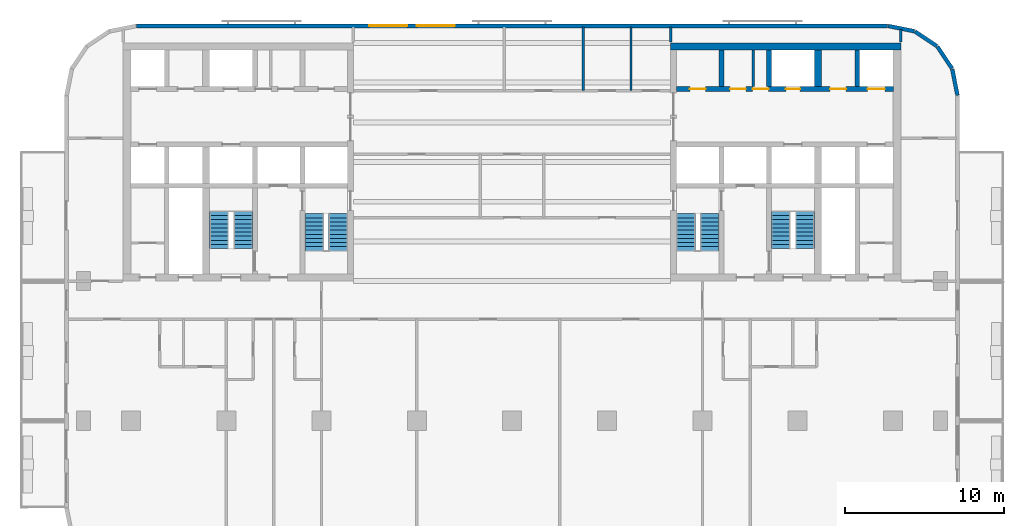
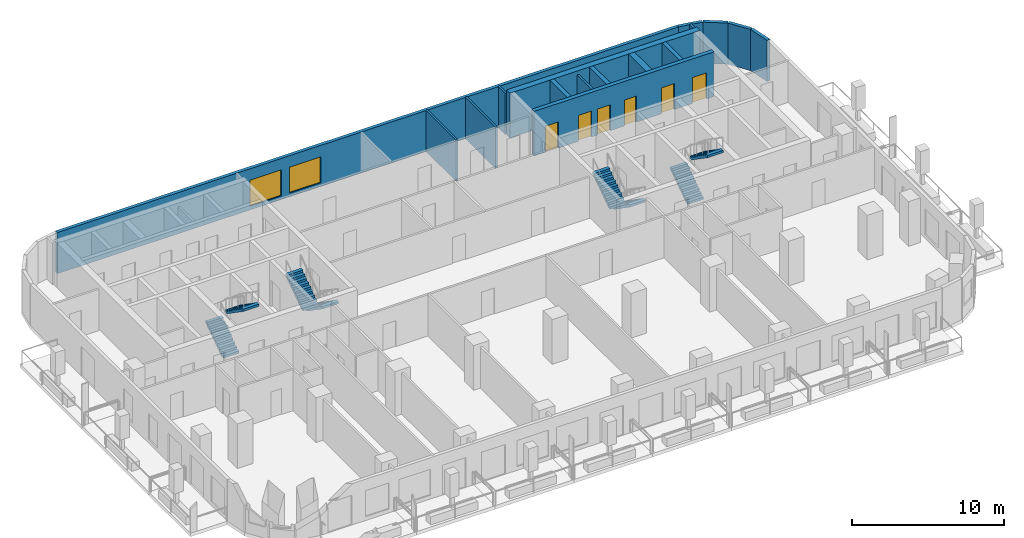
# One storey, part 7 of 11: 16 walls, 8 stair flights, 6 doors, 2 windows, 8 openings, 4 elements without a shape of their own.
"""IFC4 building model written with IfcOpenShell, lengths in metres."""

import ifcopenshell
import ifcopenshell.guid

model = None  # the IFC model being written
_history = None  # IfcOwnerHistory: only IFC2X3 demands one
_inside = {}  # id of a spatial element -> (the spatial element, [elements in it])
_under = {}  # id of a project, library or spatial element -> (it, [spatial elements below it])
_declared = {}  # id of a project -> (the project, [libraries it declares])
_typed = {}  # id of a type object -> (the type object, [elements of that type])
_made_of = {}  # id of a material, layer set ... -> (it, [elements and type objects made of it])


def new_model(schema):
    """Start an empty IFC model of exactly this schema.

    Asked for "IFC4X3", IfcOpenShell would pick the latest addendum, in which some entities
    have other attributes; the version numbers below select the first issue.
    IFC2X3 requires an IfcOwnerHistory on every rooted entity: one is made here for all.
    """
    global model, _history
    if schema == "IFC4X3":
        model = ifcopenshell.file(schema_version=(4, 3, 0, 0))
    else:
        model = ifcopenshell.file(schema=schema)
    _inside.clear()
    _under.clear()
    _declared.clear()
    _typed.clear()
    _made_of.clear()
    _history = None
    if model.schema == "IFC2X3":
        org = make("IfcOrganization", Name="unknown")
        user = make(
            "IfcPersonAndOrganization",
            ThePerson=make("IfcPerson", FamilyName="unknown"),
            TheOrganization=org,
        )
        app = make(
            "IfcApplication",
            ApplicationDeveloper=org,
            Version="unknown",
            ApplicationFullName="unknown",
            ApplicationIdentifier="unknown",
        )
        _history = make(
            "IfcOwnerHistory",
            OwningUser=user,
            OwningApplication=app,
            ChangeAction="ADDED",
            CreationDate=0,
        )
    return model


def make(cls, **values):
    """One entity of the class cls with the attributes given. An attribute that is None is left unset."""
    return model.create_entity(
        cls, **{name: value for name, value in values.items() if value is not None}
    )


def rooted(cls, **values):
    """An entity with a GlobalId (a new one), such as an element, a storey or a relation."""
    return make(cls, GlobalId=ifcopenshell.guid.new(), OwnerHistory=_history, **values)


def si_unit(unit_type, name, prefix=None):
    """IfcSIUnit, for example si_unit("LENGTHUNIT", "METRE", prefix="MILLI")."""
    return make("IfcSIUnit", UnitType=unit_type, Prefix=prefix, Name=name)


def assignment(units):
    """IfcUnitAssignment: the units of a project."""
    return None if units is None else make("IfcUnitAssignment", Units=units)


def point(xyz):
    """IfcCartesianPoint."""
    return None if xyz is None else make("IfcCartesianPoint", Coordinates=xyz)


def direction(xyz):
    """IfcDirection."""
    return None if xyz is None else make("IfcDirection", DirectionRatios=xyz)


def frame(location, z_axis=None, x_axis=None):
    """IfcAxis2Placement3D, a coordinate frame: its origin and axes. An axis left out is left unset."""
    return make(
        "IfcAxis2Placement3D",
        Location=point(location),
        Axis=direction(z_axis),
        RefDirection=direction(x_axis),
    )


def frame_2d(location, x_axis=None):
    """IfcAxis2Placement2D, a coordinate frame in the plane: its origin and x axis."""
    return make(
        "IfcAxis2Placement2D", Location=point(location), RefDirection=direction(x_axis)
    )


def origin():
    """The frame at (0, 0, 0) with its axes left unset."""
    return frame((0.0, 0.0, 0.0))


def place(relative_to, where):
    """IfcLocalPlacement: puts the frame where relative to a parent placement (None: the world)."""
    return make(
        "IfcLocalPlacement", PlacementRelTo=relative_to, RelativePlacement=where
    )


def context(
    kind, dimensions, precision=None, world=None, true_north=None, identifier=None
):
    """IfcGeometricRepresentationContext, for example the 3D "Model" context."""
    return make(
        "IfcGeometricRepresentationContext",
        ContextIdentifier=identifier,
        ContextType=kind,
        CoordinateSpaceDimension=dimensions,
        Precision=precision,
        WorldCoordinateSystem=world,
        TrueNorth=true_north,
    )


def subcontext(parent, identifier, kind, view, scale=None):
    """IfcGeometricRepresentationSubContext, for example "Body" below "Model"."""
    return make(
        "IfcGeometricRepresentationSubContext",
        ContextIdentifier=identifier,
        ContextType=kind,
        ParentContext=parent,
        TargetScale=scale,
        TargetView=view,
    )


def project(units=None, contexts=None):
    """IfcProject with its units and contexts."""
    return rooted(
        "IfcProject",
        Name="project",
        RepresentationContexts=contexts,
        UnitsInContext=assignment(units),
    )


def spatial(cls, under=None, at=None, **own):
    """A site, building, storey or space (cls), placed at a placement, below another one or the project."""
    s = rooted(cls, ObjectPlacement=at, **own)
    if under is not None:
        _under.setdefault(under.id(), (under, []))[1].append(s)
    return s


def polyline(points):
    """IfcPolyline through the points."""
    return make("IfcPolyline", Points=[point(p) for p in points])


def profile(cls, at=None, kind="AREA", **sizes):
    """A parametric profile (cls). Its sizes go by their IFC names, for example OverallWidth=200.0."""
    return make(cls, ProfileType=kind, Position=at, **sizes)


def rectangle(**sizes):
    """IfcRectangleProfileDef."""
    return profile("IfcRectangleProfileDef", **sizes)


def outline(outer, holes=None, kind="AREA"):
    """IfcArbitraryClosedProfileDef: a profile drawn as a closed curve; with holes, ...WithVoids."""
    if holes is None:
        return make("IfcArbitraryClosedProfileDef", ProfileType=kind, OuterCurve=outer)
    return make(
        "IfcArbitraryProfileDefWithVoids",
        ProfileType=kind,
        OuterCurve=outer,
        InnerCurves=holes,
    )


def extrude(swept, where, along, depth):
    """IfcExtrudedAreaSolid: the profile swept, set in the frame where, extruded along a direction by depth."""
    return make(
        "IfcExtrudedAreaSolid",
        SweptArea=swept,
        Position=where,
        ExtrudedDirection=direction(along),
        Depth=depth,
    )


def shape(context_of_items, identifier, shape_type, items):
    """IfcShapeRepresentation: the items that make up one representation, for example the "Body"."""
    return make(
        "IfcShapeRepresentation",
        ContextOfItems=context_of_items,
        RepresentationIdentifier=identifier,
        RepresentationType=shape_type,
        Items=items,
    )


def material(Name=None, Category=None):
    """IfcMaterial."""
    return make("IfcMaterial", Name=Name, Category=Category)


def layer(
    of_material, thickness, ventilated=None, Name=None, Category=None, Priority=None
):
    """IfcMaterialLayer: one layer of a wall or slab, of a material (None: an air gap)."""
    return make(
        "IfcMaterialLayer",
        Material=of_material,
        LayerThickness=thickness,
        IsVentilated=ventilated,
        Name=Name,
        Category=Category,
        Priority=Priority,
    )


def layer_set(layers, Name=None):
    """IfcMaterialLayerSet."""
    return make("IfcMaterialLayerSet", MaterialLayers=layers, LayerSetName=Name)


def made_of(thing, what):
    """Note that an element or type object is made of a material, layer set ...; save() writes the relation."""
    if what is not None:
        _made_of.setdefault(what.id(), (what, []))[1].append(thing)
    return thing


def type_object(cls, material=None, **own):
    """A type object (cls), such as IfcWallType, which elements share."""
    return made_of(rooted(cls, **own), material)


def element(
    cls,
    number,
    at=None,
    inside=None,
    cuts=None,
    type_object=None,
    material=None,
    context=None,
    identifier="Body",
    shape_type=None,
    held_by="IfcProductDefinitionShape",
    body=None,
    shapes=None,
    **own,
):
    """One element of the class cls, such as IfcWall. Its Tag is "e" and its number.

    at: its placement. inside: the storey or other place that contains it. cuts: it is an
    opening in that element (IfcRelVoidsElement). A single representation is given by context,
    identifier, shape_type and body (its items); several are given by shapes. held_by: the class
    of the entity that holds the representations. save() writes the other relations.
    """
    e = rooted(cls, Tag="e%d" % number, ObjectPlacement=at, **own)
    if body is not None:
        shapes = [shape(context, identifier, shape_type, body)]
    if shapes is not None:
        e.Representation = make(held_by, Representations=shapes)
    if inside is not None:
        _inside.setdefault(inside.id(), (inside, []))[1].append(e)
    if cuts is not None:
        rooted(
            "IfcRelVoidsElement", RelatingBuildingElement=cuts, RelatedOpeningElement=e
        )
    if type_object is not None:
        _typed.setdefault(type_object.id(), (type_object, []))[1].append(e)
    return made_of(e, material)


def fill(opening, filler):
    """IfcRelFillsElement: the door or window that sits in an opening."""
    return rooted(
        "IfcRelFillsElement",
        RelatingOpeningElement=opening,
        RelatedBuildingElement=filler,
    )


def aggregate(whole, parts):
    """IfcRelAggregates: a whole, such as a stair, and the parts it consists of."""
    return rooted("IfcRelAggregates", RelatingObject=whole, RelatedObjects=parts)


def save(model, path):
    """Write the relations noted so far, then the file.

    IfcRelAggregates (storeys below a building ...), IfcRelContainedInSpatialStructure (elements
    in a storey), IfcRelDefinesByType, IfcRelAssociatesMaterial and IfcRelDeclares: one each for
    every whole, place, type object, material and project.
    """
    for whole, parts in _under.values():
        aggregate(whole, parts)
    for where, things in _inside.values():
        rooted(
            "IfcRelContainedInSpatialStructure",
            RelatedElements=things,
            RelatingStructure=where,
        )
    for kind, things in _typed.values():
        rooted("IfcRelDefinesByType", RelatedObjects=things, RelatingType=kind)
    for what, things in _made_of.values():
        rooted("IfcRelAssociatesMaterial", RelatedObjects=things, RelatingMaterial=what)
    for by, libraries in _declared.values():
        rooted("IfcRelDeclares", RelatingContext=by, RelatedDefinitions=libraries)
    model.write(path)


model = new_model("IFC4")

# Units and contexts
model_context = context("Model", 3, precision=1e-05, world=origin(), true_north=direction((0.0, 1.0)))
body_context = subcontext(model_context, "Body", "Model", "MODEL_VIEW")
ifc_project = project(units=[si_unit("LENGTHUNIT", "METRE"), si_unit("AREAUNIT", "SQUARE_METRE"), si_unit("VOLUMEUNIT", "CUBIC_METRE"), si_unit("PLANEANGLEUNIT", "RADIAN"), si_unit("MASSUNIT", "GRAM", prefix="KILO")], contexts=[model_context])

# Site, building, storey
site_placement = place(None, origin())
site = spatial("IfcSite", under=ifc_project, at=site_placement, CompositionType="ELEMENT")
building_placement = place(site_placement, origin())
building = spatial("IfcBuilding", under=site, at=building_placement, Name="Torana Hotel and Residences", CompositionType="ELEMENT")
storey_placement = place(building_placement, frame((0.0, 0.0, 134.39990234375)))
storey = spatial("IfcBuildingStorey", under=building, at=storey_placement, Name="L34", CompositionType="ELEMENT", Elevation=134.39990234375)

# Wall, openings, doors
ifc_material_1 = material(Name="Concrete C70/85", Category="concrete")
ifc_layer_1 = layer(ifc_material_1, 0.300048828125)
ifc_layer_set_1 = layer_set([ifc_layer_1], Name="CORE WALL 300 C70/85")
wall_type_1 = type_object("IfcWallType", Name="CORE WALL 300 C70/85", PredefinedType="SHEAR", material=ifc_layer_set_1)
wall_1_placement = place(storey_placement, frame((10.35009765625, -2.89990234375, 0.0), z_axis=(0.0, 0.0, 1.0), x_axis=(1.0, 0.0, 0.0)))
wall_1 = element("IfcWall", 1, at=wall_1_placement, inside=storey, type_object=wall_type_1, Name="Core wall E row-N", PredefinedType="SHEAR", context=body_context, shape_type="SweptSolid", body=[
    extrude(rectangle(XDim=13.699951171875, YDim=0.300048828125, at=frame_2d((6.85009765625, 0.0))), origin(), (0.0, 0.0, 1.0), 3.60009765625),
])
opening_1_placement = place(wall_1_placement, frame((12.050048828125, 0.0, 0.0)))
opening_1 = element("IfcOpeningElement", 2, at=opening_1_placement, cuts=wall_1, Name="Opening LD", PredefinedType="OPENING", context=body_context, shape_type="SweptSolid", body=[
    extrude(rectangle(XDim=1.10009765625, YDim=2.10009765625, at=frame_2d((0.550048828125, 1.050048828125))), frame((0.0, 0.159912109375, 0.0), z_axis=(0.0, -1.0, 0.0), x_axis=(1.0, 0.0, 0.0)), (0.0, 0.0, 1.0), 0.320068359375),
])
opening_2_placement = place(wall_1_placement, frame((6.89990234375, 0.0, 0.0)))
opening_2 = element("IfcOpeningElement", 3, at=opening_2_placement, cuts=wall_1, Name="Opening L34-22", PredefinedType="OPENING", context=body_context, shape_type="SweptSolid", body=[
    extrude(rectangle(XDim=0.89990234375, YDim=2.10009765625, at=frame_2d((0.449951171875, 1.050048828125))), frame((0.0, 0.159912109375, 0.0), z_axis=(0.0, -1.0, 0.0), x_axis=(1.0, 0.0, 0.0)), (0.0, 0.0, 1.0), 0.320068359375),
])
opening_3_placement = place(wall_1_placement, frame((0.85009765625, 0.0, 0.0)))
opening_3 = element("IfcOpeningElement", 4, at=opening_3_placement, cuts=wall_1, Name="Opening L34-23", PredefinedType="OPENING", context=body_context, shape_type="SweptSolid", body=[
    extrude(rectangle(XDim=1.0, YDim=2.10009765625, at=frame_2d((0.5, 1.050048828125))), frame((0.0, 0.159912109375, 0.0), z_axis=(0.0, -1.0, 0.0), x_axis=(1.0, 0.0, 0.0)), (0.0, 0.0, 1.0), 0.320068359375),
])
opening_4_placement = place(wall_1_placement, frame((3.387451171875, 0.0, 0.0)))
opening_4 = element("IfcOpeningElement", 5, at=opening_4_placement, cuts=wall_1, Name="Opening L34-24", PredefinedType="OPENING", context=body_context, shape_type="SweptSolid", body=[
    extrude(rectangle(XDim=1.0, YDim=2.10009765625, at=frame_2d((0.5, 1.050048828125))), frame((0.0, 0.159912109375, 0.0), z_axis=(0.0, -1.0, 0.0), x_axis=(1.0, 0.0, 0.0)), (0.0, 0.0, 1.0), 0.320068359375),
])
opening_5_placement = place(wall_1_placement, frame((4.8125, 0.0, 0.0)))
opening_5 = element("IfcOpeningElement", 6, at=opening_5_placement, cuts=wall_1, Name="Opening L34-25", PredefinedType="OPENING", context=body_context, shape_type="SweptSolid", body=[
    extrude(rectangle(XDim=1.0, YDim=2.10009765625, at=frame_2d((0.5, 1.050048828125))), frame((0.0, 0.159912109375, 0.0), z_axis=(0.0, -1.0, 0.0), x_axis=(1.0, 0.0, 0.0)), (0.0, 0.0, 1.0), 0.320068359375),
])
opening_6_placement = place(wall_1_placement, frame((9.699951171875, 0.0, 0.0)))
opening_6 = element("IfcOpeningElement", 7, at=opening_6_placement, cuts=wall_1, Name="Opening L34-26", PredefinedType="OPENING", context=body_context, shape_type="SweptSolid", body=[
    extrude(rectangle(XDim=1.0, YDim=2.10009765625, at=frame_2d((0.5, 1.050048828125))), frame((0.0, 0.159912109375, 0.0), z_axis=(0.0, -1.0, 0.0), x_axis=(1.0, 0.0, 0.0)), (0.0, 0.0, 1.0), 0.320068359375),
])
ifc_material_2 = material(Name="Steel S235", Category="steel")
door_type_1 = type_object("IfcDoorType", Name="CORE ROOM FIRE DOOR D14 1000x2100", OperationType="SINGLE_SWING_LEFT", PredefinedType="DOOR", material=ifc_material_2)
door_1_placement = place(opening_3_placement, origin())
door_1 = element("IfcDoor", 8, at=door_1_placement, inside=storey, type_object=door_type_1, Name="N0 door L34", OperationType="SINGLE_SWING_RIGHT", OverallHeight=2.10009765625, OverallWidth=1.0, PredefinedType="DOOR", context=body_context, shape_type="SweptSolid", body=[
    extrude(rectangle(XDim=1.0, YDim=2.10009765625, at=frame_2d((0.5, 1.050048828125))), frame((0.0, 0.02490234375, 0.0), z_axis=(0.0, -1.0, 0.0), x_axis=(1.0, 0.0, 0.0)), (0.0, 0.0, 1.0), 0.050048828125),
])
fill(opening_3, door_1)
door_2_placement = place(opening_4_placement, origin())
door_2 = element("IfcDoor", 9, at=door_2_placement, inside=storey, type_object=door_type_1, Name="N1A door L34", OperationType="SINGLE_SWING_RIGHT", OverallHeight=2.10009765625, OverallWidth=1.0, PredefinedType="DOOR", context=body_context, shape_type="SweptSolid", body=[
    extrude(rectangle(XDim=1.0, YDim=2.10009765625, at=frame_2d((0.5, 1.050048828125))), frame((0.0, 0.02490234375, 0.0), z_axis=(0.0, -1.0, 0.0), x_axis=(1.0, 0.0, 0.0)), (0.0, 0.0, 1.0), 0.050048828125),
])
fill(opening_4, door_2)
door_3_placement = place(opening_5_placement, origin())
door_3 = element("IfcDoor", 10, at=door_3_placement, inside=storey, type_object=door_type_1, Name="N1B door L34", OperationType="SINGLE_SWING_LEFT", OverallHeight=2.10009765625, OverallWidth=1.0, PredefinedType="DOOR", context=body_context, shape_type="SweptSolid", body=[
    extrude(rectangle(XDim=1.0, YDim=2.10009765625, at=frame_2d((0.5, 1.050048828125))), frame((0.0, 0.02490234375, 0.0), z_axis=(0.0, -1.0, 0.0), x_axis=(1.0, 0.0, 0.0)), (0.0, 0.0, 1.0), 0.050048828125),
])
fill(opening_5, door_3)
door_4_placement = place(opening_6_placement, origin())
door_4 = element("IfcDoor", 11, at=door_4_placement, inside=storey, type_object=door_type_1, Name="Freed-S2 door L34", OperationType="SINGLE_SWING_RIGHT", OverallHeight=2.10009765625, OverallWidth=1.0, PredefinedType="DOOR", context=body_context, shape_type="SweptSolid", body=[
    extrude(rectangle(XDim=1.0, YDim=2.10009765625, at=frame_2d((0.5, 1.050048828125))), frame((0.0, 0.02490234375, 0.0), z_axis=(0.0, -1.0, 0.0), x_axis=(1.0, 0.0, 0.0)), (0.0, 0.0, 1.0), 0.050048828125),
])
fill(opening_6, door_4)
ifc_material_3 = material(Name="Stainless steel 316", Category="steel")
door_type_2 = type_object("IfcDoorType", Name="LIFT LANDING DOOR LD 1100x2100", OperationType="DOUBLE_DOOR_SLIDING", PredefinedType="USERDEFINED", material=ifc_material_3)
door_5_placement = place(opening_1_placement, origin())
door_5 = element("IfcDoor", 12, at=door_5_placement, inside=storey, type_object=door_type_2, Name="Lift landing door M3 L34", ObjectType="LIFT LANDING DOOR", OperationType="DOUBLE_DOOR_SLIDING", OverallHeight=2.10009765625, OverallWidth=1.10009765625, PredefinedType="USERDEFINED", context=body_context, shape_type="SweptSolid", body=[
    extrude(rectangle(XDim=1.10009765625, YDim=2.10009765625, at=frame_2d((0.550048828125, 1.050048828125))), frame((0.0, 0.02490234375, 0.0), z_axis=(0.0, -1.0, 0.0), x_axis=(1.0, 0.0, 0.0)), (0.0, 0.0, 1.0), 0.050048828125),
])
fill(opening_1, door_5)
ifc_material_4 = material(Name="Steel S235", Category="steel")
door_type_3 = type_object("IfcDoorType", Name="RISER ACCESS DOOR D5 900x2100", OperationType="SINGLE_SWING_LEFT", PredefinedType="DOOR", material=ifc_material_4)
door_6_placement = place(opening_2_placement, origin())
door_6 = element("IfcDoor", 13, at=door_6_placement, inside=storey, type_object=door_type_3, Name="N2 door L34", OperationType="SINGLE_SWING_RIGHT", OverallHeight=2.10009765625, OverallWidth=0.89990234375, PredefinedType="DOOR", context=body_context, shape_type="SweptSolid", body=[
    extrude(rectangle(XDim=0.89990234375, YDim=2.10009765625, at=frame_2d((0.449951171875, 1.050048828125))), frame((0.0, 0.02490234375, 0.0), z_axis=(0.0, -1.0, 0.0), x_axis=(1.0, 0.0, 0.0)), (0.0, 0.0, 1.0), 0.050048828125),
])
fill(opening_2, door_6)

# Walls
for number, where, z_axis, x_axis, name in (
    (14, (13.199951171875, -2.75, 0.0), (0.0, 0.0, 1.0), (0.0, 1.0, 0.0), "Core wall E x3.05-N"),
    (15, (16.199951171875, -2.75, 0.0), (0.0, 0.0, 1.0), (0.0, 1.0, 0.0), "Core wall E x6.05-N"),
    (16, (21.75, -2.75, 0.0), (0.0, 0.0, 1.0), (0.0, 1.0, 0.0), "Core wall E mm-N"),
):
    element("IfcWall", number, at=place(storey_placement, frame(where, z_axis=z_axis, x_axis=x_axis)), inside=storey, type_object=wall_type_1, Name=name, PredefinedType="SHEAR", context=body_context, shape_type="SweptSolid", body=[
        extrude(rectangle(XDim=2.300048828125, YDim=0.300048828125, at=frame_2d((1.14990234375, 0.0))), origin(), (0.0, 0.0, 1.0), 3.60009765625),
    ])
ifc_material_5 = material(Name="Concrete C70/85", Category="concrete")
ifc_layer_2 = layer(ifc_material_5, 0.449951171875)
ifc_layer_set_2 = layer_set([ifc_layer_2], Name="CORE WALL 450 C70/85")
wall_type_2 = type_object("IfcWallType", Name="CORE WALL 450 C70/85", PredefinedType="SHEAR", material=ifc_layer_set_2)
wall_2_placement = place(storey_placement, frame((10.0, -0.22509765625, 0.0), z_axis=(0.0, 0.0, 1.0), x_axis=(1.0, 0.0, 0.0)))
element("IfcWall", 17, at=wall_2_placement, inside=storey, type_object=wall_type_2, Name="Core wall E rear", PredefinedType="SHEAR", context=body_context, shape_type="SweptSolid", body=[
    extrude(rectangle(XDim=14.5, YDim=0.449951171875, at=frame_2d((7.25, 0.0))), origin(), (0.0, 0.0, 1.0), 3.60009765625),
])
wall_3_placement = place(storey_placement, frame((19.27490234375, -2.75, 0.0), z_axis=(0.0, 0.0, 1.0), x_axis=(0.0, 1.0, 0.0)))
element("IfcWall", 18, at=wall_3_placement, inside=storey, type_object=wall_type_2, Name="Core wall E hm-N", PredefinedType="SHEAR", context=body_context, shape_type="SweptSolid", body=[
    extrude(rectangle(XDim=2.300048828125, YDim=0.449951171875, at=frame_2d((1.14990234375, 0.0))), origin(), (0.0, 0.0, 1.0), 3.60009765625),
])
ifc_material_6 = material(Name="Black aluminium composite panel", Category="aluminium")
ifc_layer_3 = layer(ifc_material_6, 0.00390625, Name="Cladding", Category="cladding")
ifc_material_7 = material(Name="Ventilated air cavity")
ifc_layer_4 = layer(ifc_material_7, 0.0400390625, Name="Ventilated cavity", Category="cavity")
ifc_material_8 = material(Name="Mineral wool insulation")
ifc_layer_5 = layer(ifc_material_8, 0.090087890625, Name="Insulation", Category="insulation")
ifc_material_9 = material(Name="Steel S280GD", Category="steel")
ifc_layer_6 = layer(ifc_material_9, 0.092041015625, Name="Steel stud frame", Category="structure")
ifc_material_10 = material(Name="Fire rated plasterboard")
ifc_layer_7 = layer(ifc_material_10, 0.011962890625, Name="Inner board", Category="finish")
ifc_layer_8 = layer(ifc_material_10, 0.011962890625, Name="Second board", Category="finish")
ifc_layer_set_3 = layer_set([ifc_layer_3, ifc_layer_4, ifc_layer_5, ifc_layer_6, ifc_layer_7, ifc_layer_8], Name="EW1 EXTERNAL WALL BLACK METAL CLAD 250")
wall_type_3 = type_object("IfcWallType", Name="EW1 EXTERNAL WALL BLACK METAL CLAD 250", PredefinedType="SOLIDWALL", material=ifc_layer_set_3)
wall_4_placement = place(storey_placement, frame((28.072509765625, -3.30029296875, 0.0), z_axis=(0.0, 0.0, 1.0), x_axis=(-0.194999110559, 0.980803419081, 0.0)))
element("IfcWall", 19, at=wall_4_placement, inside=storey, type_object=wall_type_3, Name="External wall L34 e0.0", PredefinedType="SOLIDWALL", context=body_context, shape_type="SweptSolid", body=[
    extrude(rectangle(XDim=1.681396484375, YDim=0.25, at=frame_2d((0.8408203125, 0.0))), origin(), (0.0, 0.0, 1.0), 3.320068359375),
])
for number, where, z_axis, x_axis, name in (
    (20, (27.725830078125, -1.60595703125, 0.0), (0.0, 0.0, 1.0), (-0.55555029066, 0.831482937015, 0.0), "External wall L34 e0.1"),
    (21, (26.771240234375, -0.1943359375, 0.0), (0.0, 0.0, 1.0), (-0.831482937015, 0.55555029066, 0.0), "External wall L34 e0.2"),
):
    element("IfcWall", number, at=place(storey_placement, frame(where, z_axis=z_axis, x_axis=x_axis)), inside=storey, type_object=wall_type_3, Name=name, PredefinedType="SOLIDWALL", context=body_context, shape_type="SweptSolid", body=[
        extrude(rectangle(XDim=1.65625, YDim=0.25, at=frame_2d((0.828125, 0.0))), origin(), (0.0, 0.0, 1.0), 3.320068359375),
    ])
wall_5_placement = place(storey_placement, frame((25.348876953125, 0.74462890625, 0.0), z_axis=(0.0, 0.0, 1.0), x_axis=(-0.980803419081, 0.194999110559, 0.0)))
element("IfcWall", 22, at=wall_5_placement, inside=storey, type_object=wall_type_3, Name="External wall L34 e0.3", PredefinedType="SOLIDWALL", context=body_context, shape_type="SweptSolid", body=[
    extrude(rectangle(XDim=1.681396484375, YDim=0.25, at=frame_2d((0.8408203125, 0.0))), origin(), (0.0, 0.0, 1.0), 3.320068359375),
])

# Wall, openings, windows
ifc_material_11 = material(Name="Concrete C40/50 precast", Category="concrete")
ifc_layer_9 = layer(ifc_material_11, 0.10009765625, Name="Perforated block", Category="cladding")
ifc_material_12 = material(Name="Air cavity")
ifc_layer_10 = layer(ifc_material_12, 0.030029296875, Name="Cavity", Category="cavity")
ifc_material_13 = material(Name="Concrete C40/50", Category="concrete")
ifc_layer_11 = layer(ifc_material_13, 0.10009765625, Name="Wall", Category="structure")
ifc_material_14 = material(Name="Plaster and paint")
ifc_layer_12 = layer(ifc_material_14, 0.02001953125, Name="Inner finish", Category="finish")
ifc_layer_set_4 = layer_set([ifc_layer_9, ifc_layer_10, ifc_layer_11, ifc_layer_12], Name="EW2 PERFORATED BLOCK SCREEN WALL 250")
wall_type_4 = type_object("IfcWallType", Name="EW2 PERFORATED BLOCK SCREEN WALL 250", PredefinedType="SOLIDWALL", material=ifc_layer_set_4)
wall_6_placement = place(storey_placement, frame((23.67529296875, 1.074951171875, 0.0), z_axis=(0.0, 0.0, 1.0), x_axis=(-1.0, 0.0, 0.0)))
wall_6 = element("IfcWall", 23, at=wall_6_placement, inside=storey, type_object=wall_type_4, Name="External wall L34 e0.4", PredefinedType="SOLIDWALL", context=body_context, shape_type="SweptSolid", body=[
    extrude(rectangle(XDim=47.3505859375, YDim=0.25, at=frame_2d((23.67529296875, 0.0))), origin(), (0.0, 0.0, 1.0), 3.320068359375),
])
opening_7_placement = place(wall_6_placement, frame((27.275390625, 0.0, 0.300048828125)))
opening_7 = element("IfcOpeningElement", 24, at=opening_7_placement, cuts=wall_6, Name="Opening W1", PredefinedType="OPENING", context=body_context, shape_type="SweptSolid", body=[
    extrude(rectangle(XDim=2.39990234375, YDim=2.10009765625, at=frame_2d((1.199951171875, 1.050048828125))), frame((0.0, 0.135009765625, 0.0), z_axis=(0.0, -1.0, 0.0), x_axis=(1.0, 0.0, 0.0)), (0.0, 0.0, 1.0), 0.27001953125),
])
opening_8_placement = place(wall_6_placement, frame((30.275390625, 0.0, 0.300048828125)))
opening_8 = element("IfcOpeningElement", 25, at=opening_8_placement, cuts=wall_6, Name="Opening W1", PredefinedType="OPENING", context=body_context, shape_type="SweptSolid", body=[
    extrude(rectangle(XDim=2.39990234375, YDim=2.10009765625, at=frame_2d((1.199951171875, 1.050048828125))), frame((0.0, 0.135009765625, 0.0), z_axis=(0.0, -1.0, 0.0), x_axis=(1.0, 0.0, 0.0)), (0.0, 0.0, 1.0), 0.27001953125),
])
ifc_material_15 = material(Name="Dark glass in black aluminium frame", Category="aluminium")
window_type = type_object("IfcWindowType", Name="W1 HOTEL ROOM WINDOW 2400x2100", PartitioningType="SINGLE_PANEL", PredefinedType="WINDOW", material=ifc_material_15)
window_1_placement = place(opening_7_placement, origin())
window_1 = element("IfcWindow", 26, at=window_1_placement, inside=storey, type_object=window_type, Name="Window L34", OverallHeight=2.10009765625, OverallWidth=2.39990234375, PartitioningType="SINGLE_PANEL", PredefinedType="WINDOW", context=body_context, shape_type="SweptSolid", body=[
    extrude(rectangle(XDim=2.39990234375, YDim=2.10009765625, at=frame_2d((1.199951171875, 1.050048828125))), frame((0.0, 0.030029296875, 0.0), z_axis=(0.0, -1.0, 0.0), x_axis=(1.0, 0.0, 0.0)), (0.0, 0.0, 1.0), 0.06005859375),
])
fill(opening_7, window_1)
window_2_placement = place(opening_8_placement, origin())
window_2 = element("IfcWindow", 27, at=window_2_placement, inside=storey, type_object=window_type, Name="Window L34", OverallHeight=2.10009765625, OverallWidth=2.39990234375, PartitioningType="SINGLE_PANEL", PredefinedType="WINDOW", context=body_context, shape_type="SweptSolid", body=[
    extrude(rectangle(XDim=2.39990234375, YDim=2.10009765625, at=frame_2d((1.199951171875, 1.050048828125))), frame((0.0, 0.030029296875, 0.0), z_axis=(0.0, -1.0, 0.0), x_axis=(1.0, 0.0, 0.0)), (0.0, 0.0, 1.0), 0.06005859375),
])
fill(opening_8, window_2)

# Walls
ifc_material_16 = material(Name="Gypsum plaster")
ifc_layer_13 = layer(ifc_material_16, 0.014892578125, Name="Plaster", Category="finish")
ifc_material_17 = material(Name="Concrete blockwork", Category="masonry")
ifc_layer_14 = layer(ifc_material_17, 0.1201171875, Name="Blockwork", Category="structure")
ifc_layer_15 = layer(ifc_material_16, 0.014892578125, Name="Plaster", Category="finish")
ifc_layer_set_5 = layer_set([ifc_layer_13, ifc_layer_14, ifc_layer_15], Name="FIRE PARTITION 150 BLOCKWORK")
wall_type_5 = type_object("IfcWallType", Name="FIRE PARTITION 150 BLOCKWORK", PredefinedType="PARTITIONING", material=ifc_layer_set_5)
wall_7_placement = place(storey_placement, frame((15.199951171875, -2.75, 0.0), z_axis=(0.0, 0.0, 1.0), x_axis=(0.0, 1.0, 0.0)))
element("IfcWall", 28, at=wall_7_placement, inside=storey, type_object=wall_type_5, Name="Core partition L34", PredefinedType="PARTITIONING", context=body_context, shape_type="SweptSolid", body=[
    extrude(rectangle(XDim=2.300048828125, YDim=0.14990234375, at=frame_2d((1.14990234375, 0.0))), origin(), (0.0, 0.0, 1.0), 3.300048828125),
])
ifc_material_18 = material(Name="Gypsum plasterboard")
ifc_layer_16 = layer(ifc_material_18, 0.012451171875, Name="Plasterboard", Category="finish")
ifc_layer_17 = layer(ifc_material_18, 0.012451171875, Name="Plasterboard", Category="finish")
ifc_layer_18 = layer(ifc_material_9, 0.10009765625, Name="Steel studs with mineral wool", Category="insulation")
ifc_layer_19 = layer(ifc_material_18, 0.012451171875, Name="Plasterboard", Category="finish")
ifc_layer_20 = layer(ifc_material_18, 0.012451171875, Name="Plasterboard", Category="finish")
ifc_layer_set_6 = layer_set([ifc_layer_16, ifc_layer_17, ifc_layer_18, ifc_layer_19, ifc_layer_20], Name="PARTITION 150 PLASTERBOARD")
wall_type_6 = type_object("IfcWallType", Name="PARTITION 150 PLASTERBOARD", PredefinedType="PARTITIONING", material=ifc_layer_set_6)
wall_8_placement = place(storey_placement, frame((24.5, 0.050048828125, 0.0), z_axis=(0.0, 0.0, 1.0), x_axis=(0.0, 1.0, 0.0)))
element("IfcWall", 29, at=wall_8_placement, inside=storey, type_object=wall_type_6, Name="Partition L34", PredefinedType="PARTITIONING", context=body_context, shape_type="SweptSolid", body=[
    extrude(rectangle(XDim=0.807373046875, YDim=0.14990234375, at=frame_2d((0.40380859375, 0.0))), origin(), (0.0, 0.0, 1.0), 3.320068359375),
])
ifc_material_19 = material(Name="Ceramic tile on adhesive")
ifc_layer_21 = layer(ifc_material_19, 0.010009765625, Name="Wall tile", Category="finish")
ifc_material_20 = material(Name="Cement render")
ifc_layer_22 = layer(ifc_material_20, 0.010009765625, Name="Render", Category="finish")
ifc_layer_23 = layer(ifc_material_17, 0.110107421875, Name="Blockwork", Category="structure")
ifc_layer_24 = layer(ifc_material_20, 0.010009765625, Name="Render", Category="finish")
ifc_layer_25 = layer(ifc_material_19, 0.010009765625, Name="Wall tile", Category="finish")
ifc_layer_set_7 = layer_set([ifc_layer_21, ifc_layer_22, ifc_layer_23, ifc_layer_24, ifc_layer_25], Name="WC PARTITION 150")
wall_type_7 = type_object("IfcWallType", Name="WC PARTITION 150", PredefinedType="PLUMBINGWALL", material=ifc_layer_set_7)
wall_9_placement = place(storey_placement, frame((10.0, 0.050048828125, 0.0), z_axis=(0.0, 0.0, 1.0), x_axis=(0.0, 1.0, 0.0)))
element("IfcWall", 30, at=wall_9_placement, inside=storey, type_object=wall_type_7, Name="Partition L34", PredefinedType="PLUMBINGWALL", context=body_context, shape_type="SweptSolid", body=[
    extrude(rectangle(XDim=0.969970703125, YDim=0.14990234375, at=frame_2d((0.48486328125, 0.0))), origin(), (0.0, 0.0, 1.0), 3.320068359375),
])
for number, where, z_axis, x_axis, name in (
    (31, (7.5, -3.0, 0.0), (0.0, 0.0, 1.0), (0.0, 1.0, 0.0), "Partition L34"),
    (32, (4.5, -3.0, 0.0), (0.0, 0.0, 1.0), (0.0, 1.0, 0.0), "Partition L34"),
):
    element("IfcWall", number, at=place(storey_placement, frame(where, z_axis=z_axis, x_axis=x_axis)), inside=storey, type_object=wall_type_7, Name=name, PredefinedType="PLUMBINGWALL", context=body_context, shape_type="SweptSolid", body=[
        extrude(rectangle(XDim=4.02001953125, YDim=0.14990234375, at=frame_2d((2.010009765625, 0.0))), origin(), (0.0, 0.0, 1.0), 3.320068359375),
    ])

# Stair, stair flights
ifc_material_21 = material(Name="Concrete C40/50 precast", Category="concrete")
stair_type_1 = type_object("IfcStairType", Name="STAIR ST1 HALF TURN 1200", PredefinedType="HALF_TURN_STAIR", material=ifc_material_21)
stair_1_placement = place(storey_placement, origin())
stair_1 = element("IfcStair", 33, at=stair_1_placement, inside=storey, type_object=stair_type_1, Name="Stair ST1 L34", PredefinedType="HALF_TURN_STAIR")
ifc_material_22 = material(Name="Concrete C40/50 precast", Category="concrete")
stair_flight_type = type_object("IfcStairFlightType", Name="STAIR FLIGHT 1200 PRECAST", PredefinedType="STRAIGHT", material=ifc_material_22)
stair_flight_1_placement = place(storey_placement, frame((-10.949951171875, -10.75, 0.0), z_axis=(0.0, 0.0, 1.0), x_axis=(0.0, -1.0, 0.0)))
stair_flight_1 = element("IfcStairFlight", 34, at=stair_flight_1_placement, type_object=stair_flight_type, Name="ST1 flight 1", NumberOfRisers=10, NumberOfTreads=9, PredefinedType="STRAIGHT", RiserHeight=0.18, TreadLength=0.26, context=body_context, shape_type="SweptSolid", body=[
    extrude(outline(polyline([(0.0, 0.0), (0.0, 0.179931640625), (0.260009765625, 0.179931640625), (0.260009765625, 0.360107421875), (0.52001953125, 0.360107421875), (0.52001953125, 0.5400390625), (0.780029296875, 0.5400390625), (0.780029296875, 0.719970703125), (1.0400390625, 0.719970703125), (1.0400390625, 0.89990234375), (1.300048828125, 0.89990234375), (1.300048828125, 1.080078125), (1.56005859375, 1.080078125), (1.56005859375, 1.260009765625), (1.820068359375, 1.260009765625), (1.820068359375, 1.43994140625), (2.080078125, 1.43994140625), (2.080078125, 1.6201171875), (2.340087890625, 1.6201171875), (2.340087890625, 1.800048828125), (2.340087890625, 1.437744140625), (0.263427734375, 0.0), (0.0, 0.0)])), frame((0.0, 0.60009765625, 0.0), z_axis=(0.0, -1.0, 0.0), x_axis=(1.0, 0.0, 0.0)), (0.0, 0.0, 1.0), 1.199951171875),
])
stair_flight_2_placement = place(storey_placement, frame((-12.449951171875, -13.090087890625, 1.800048828125), z_axis=(0.0, 0.0, 1.0), x_axis=(0.0, 1.0, 0.0)))
stair_flight_2 = element("IfcStairFlight", 35, at=stair_flight_2_placement, type_object=stair_flight_type, Name="ST1 flight 2", NumberOfRisers=10, NumberOfTreads=9, PredefinedType="STRAIGHT", RiserHeight=0.18, TreadLength=0.26, context=body_context, shape_type="SweptSolid", body=[
    extrude(outline(polyline([(0.0, 0.0), (0.0, 0.179931640625), (0.260009765625, 0.179931640625), (0.260009765625, 0.360107421875), (0.52001953125, 0.360107421875), (0.52001953125, 0.5400390625), (0.780029296875, 0.5400390625), (0.780029296875, 0.719970703125), (1.0400390625, 0.719970703125), (1.0400390625, 0.89990234375), (1.300048828125, 0.89990234375), (1.300048828125, 1.080078125), (1.56005859375, 1.080078125), (1.56005859375, 1.260009765625), (1.820068359375, 1.260009765625), (1.820068359375, 1.43994140625), (2.080078125, 1.43994140625), (2.080078125, 1.6201171875), (2.340087890625, 1.6201171875), (2.340087890625, 1.800048828125), (2.340087890625, 1.437744140625), (0.263427734375, 0.0), (0.0, 0.0)])), frame((0.0, 0.60009765625, 0.0), z_axis=(0.0, -1.0, 0.0), x_axis=(1.0, 0.0, 0.0)), (0.0, 0.0, 1.0), 1.199951171875),
])
aggregate(stair_1, [stair_flight_1, stair_flight_2])

ifc_material_23 = material(Name="Concrete C40/50 precast", Category="concrete")
stair_type_2 = type_object("IfcStairType", Name="STAIR ST2 HALF TURN 1200", PredefinedType="HALF_TURN_STAIR", material=ifc_material_23)
stair_2_placement = place(storey_placement, origin())
stair_2 = element("IfcStair", 36, at=stair_2_placement, inside=storey, type_object=stair_type_2, Name="Stair ST2 L34", PredefinedType="HALF_TURN_STAIR")
stair_flight_3_placement = place(storey_placement, frame((-18.449951171875, -12.949951171875, 0.0), z_axis=(0.0, 0.0, 1.0), x_axis=(0.0, 1.0, 0.0)))
stair_flight_3 = element("IfcStairFlight", 37, at=stair_flight_3_placement, type_object=stair_flight_type, Name="ST2 flight 1", NumberOfRisers=10, NumberOfTreads=9, PredefinedType="STRAIGHT", RiserHeight=0.18, TreadLength=0.26, context=body_context, shape_type="SweptSolid", body=[
    extrude(outline(polyline([(0.0, 0.0), (0.0, 0.179931640625), (0.260009765625, 0.179931640625), (0.260009765625, 0.360107421875), (0.52001953125, 0.360107421875), (0.52001953125, 0.5400390625), (0.780029296875, 0.5400390625), (0.780029296875, 0.719970703125), (1.0400390625, 0.719970703125), (1.0400390625, 0.89990234375), (1.300048828125, 0.89990234375), (1.300048828125, 1.080078125), (1.56005859375, 1.080078125), (1.56005859375, 1.260009765625), (1.820068359375, 1.260009765625), (1.820068359375, 1.43994140625), (2.080078125, 1.43994140625), (2.080078125, 1.6201171875), (2.340087890625, 1.6201171875), (2.340087890625, 1.800048828125), (2.340087890625, 1.437744140625), (0.263427734375, 0.0), (0.0, 0.0)])), frame((0.0, 0.60009765625, 0.0), z_axis=(0.0, -1.0, 0.0), x_axis=(1.0, 0.0, 0.0)), (0.0, 0.0, 1.0), 1.199951171875),
])
stair_flight_4_placement = place(storey_placement, frame((-16.949951171875, -10.610107421875, 1.800048828125), z_axis=(0.0, 0.0, 1.0), x_axis=(0.0, -1.0, 0.0)))
stair_flight_4 = element("IfcStairFlight", 38, at=stair_flight_4_placement, type_object=stair_flight_type, Name="ST2 flight 2", NumberOfRisers=10, NumberOfTreads=9, PredefinedType="STRAIGHT", RiserHeight=0.18, TreadLength=0.26, context=body_context, shape_type="SweptSolid", body=[
    extrude(outline(polyline([(0.0, 0.0), (0.0, 0.179931640625), (0.260009765625, 0.179931640625), (0.260009765625, 0.360107421875), (0.52001953125, 0.360107421875), (0.52001953125, 0.5400390625), (0.780029296875, 0.5400390625), (0.780029296875, 0.719970703125), (1.0400390625, 0.719970703125), (1.0400390625, 0.89990234375), (1.300048828125, 0.89990234375), (1.300048828125, 1.080078125), (1.56005859375, 1.080078125), (1.56005859375, 1.260009765625), (1.820068359375, 1.260009765625), (1.820068359375, 1.43994140625), (2.080078125, 1.43994140625), (2.080078125, 1.6201171875), (2.340087890625, 1.6201171875), (2.340087890625, 1.800048828125), (2.340087890625, 1.437744140625), (0.263427734375, 0.0), (0.0, 0.0)])), frame((0.0, 0.60009765625, 0.0), z_axis=(0.0, -1.0, 0.0), x_axis=(1.0, 0.0, 0.0)), (0.0, 0.0, 1.0), 1.199951171875),
])
aggregate(stair_2, [stair_flight_3, stair_flight_4])

ifc_material_24 = material(Name="Concrete C40/50 precast", Category="concrete")
stair_type_3 = type_object("IfcStairType", Name="STAIR ST3 HALF TURN 1200", PredefinedType="HALF_TURN_STAIR", material=ifc_material_24)
stair_3_placement = place(storey_placement, origin())
stair_3 = element("IfcStair", 39, at=stair_3_placement, inside=storey, type_object=stair_type_3, Name="Stair ST3 L34", PredefinedType="HALF_TURN_STAIR")
stair_flight_5_placement = place(storey_placement, frame((12.449951171875, -10.75, 0.0), z_axis=(0.0, 0.0, 1.0), x_axis=(0.0, -1.0, 0.0)))
stair_flight_5 = element("IfcStairFlight", 40, at=stair_flight_5_placement, type_object=stair_flight_type, Name="ST3 flight 1", NumberOfRisers=10, NumberOfTreads=9, PredefinedType="STRAIGHT", RiserHeight=0.18, TreadLength=0.26, context=body_context, shape_type="SweptSolid", body=[
    extrude(outline(polyline([(0.0, 0.0), (0.0, 0.179931640625), (0.260009765625, 0.179931640625), (0.260009765625, 0.360107421875), (0.52001953125, 0.360107421875), (0.52001953125, 0.5400390625), (0.780029296875, 0.5400390625), (0.780029296875, 0.719970703125), (1.0400390625, 0.719970703125), (1.0400390625, 0.89990234375), (1.300048828125, 0.89990234375), (1.300048828125, 1.080078125), (1.56005859375, 1.080078125), (1.56005859375, 1.260009765625), (1.820068359375, 1.260009765625), (1.820068359375, 1.43994140625), (2.080078125, 1.43994140625), (2.080078125, 1.6201171875), (2.340087890625, 1.6201171875), (2.340087890625, 1.800048828125), (2.340087890625, 1.437744140625), (0.263427734375, 0.0), (0.0, 0.0)])), frame((0.0, 0.60009765625, 0.0), z_axis=(0.0, -1.0, 0.0), x_axis=(1.0, 0.0, 0.0)), (0.0, 0.0, 1.0), 1.199951171875),
])
stair_flight_6_placement = place(storey_placement, frame((10.949951171875, -13.090087890625, 1.800048828125), z_axis=(0.0, 0.0, 1.0), x_axis=(0.0, 1.0, 0.0)))
stair_flight_6 = element("IfcStairFlight", 41, at=stair_flight_6_placement, type_object=stair_flight_type, Name="ST3 flight 2", NumberOfRisers=10, NumberOfTreads=9, PredefinedType="STRAIGHT", RiserHeight=0.18, TreadLength=0.26, context=body_context, shape_type="SweptSolid", body=[
    extrude(outline(polyline([(0.0, 0.0), (0.0, 0.179931640625), (0.260009765625, 0.179931640625), (0.260009765625, 0.360107421875), (0.52001953125, 0.360107421875), (0.52001953125, 0.5400390625), (0.780029296875, 0.5400390625), (0.780029296875, 0.719970703125), (1.0400390625, 0.719970703125), (1.0400390625, 0.89990234375), (1.300048828125, 0.89990234375), (1.300048828125, 1.080078125), (1.56005859375, 1.080078125), (1.56005859375, 1.260009765625), (1.820068359375, 1.260009765625), (1.820068359375, 1.43994140625), (2.080078125, 1.43994140625), (2.080078125, 1.6201171875), (2.340087890625, 1.6201171875), (2.340087890625, 1.800048828125), (2.340087890625, 1.437744140625), (0.263427734375, 0.0), (0.0, 0.0)])), frame((0.0, 0.60009765625, 0.0), z_axis=(0.0, -1.0, 0.0), x_axis=(1.0, 0.0, 0.0)), (0.0, 0.0, 1.0), 1.199951171875),
])
aggregate(stair_3, [stair_flight_5, stair_flight_6])

ifc_material_25 = material(Name="Concrete C40/50 precast", Category="concrete")
stair_type_4 = type_object("IfcStairType", Name="STAIR ST4 HALF TURN 1200", PredefinedType="HALF_TURN_STAIR", material=ifc_material_25)
stair_4_placement = place(storey_placement, origin())
stair_4 = element("IfcStair", 42, at=stair_4_placement, inside=storey, type_object=stair_type_4, Name="Stair ST4 L34", PredefinedType="HALF_TURN_STAIR")
stair_flight_7_placement = place(storey_placement, frame((16.949951171875, -12.949951171875, 0.0), z_axis=(0.0, 0.0, 1.0), x_axis=(0.0, 1.0, 0.0)))
stair_flight_7 = element("IfcStairFlight", 43, at=stair_flight_7_placement, type_object=stair_flight_type, Name="ST4 flight 1", NumberOfRisers=10, NumberOfTreads=9, PredefinedType="STRAIGHT", RiserHeight=0.18, TreadLength=0.26, context=body_context, shape_type="SweptSolid", body=[
    extrude(outline(polyline([(0.0, 0.0), (0.0, 0.179931640625), (0.260009765625, 0.179931640625), (0.260009765625, 0.360107421875), (0.52001953125, 0.360107421875), (0.52001953125, 0.5400390625), (0.780029296875, 0.5400390625), (0.780029296875, 0.719970703125), (1.0400390625, 0.719970703125), (1.0400390625, 0.89990234375), (1.300048828125, 0.89990234375), (1.300048828125, 1.080078125), (1.56005859375, 1.080078125), (1.56005859375, 1.260009765625), (1.820068359375, 1.260009765625), (1.820068359375, 1.43994140625), (2.080078125, 1.43994140625), (2.080078125, 1.6201171875), (2.340087890625, 1.6201171875), (2.340087890625, 1.800048828125), (2.340087890625, 1.437744140625), (0.263427734375, 0.0), (0.0, 0.0)])), frame((0.0, 0.60009765625, 0.0), z_axis=(0.0, -1.0, 0.0), x_axis=(1.0, 0.0, 0.0)), (0.0, 0.0, 1.0), 1.199951171875),
])
stair_flight_8_placement = place(storey_placement, frame((18.449951171875, -10.610107421875, 1.800048828125), z_axis=(0.0, 0.0, 1.0), x_axis=(0.0, -1.0, 0.0)))
stair_flight_8 = element("IfcStairFlight", 44, at=stair_flight_8_placement, type_object=stair_flight_type, Name="ST4 flight 2", NumberOfRisers=10, NumberOfTreads=9, PredefinedType="STRAIGHT", RiserHeight=0.18, TreadLength=0.26, context=body_context, shape_type="SweptSolid", body=[
    extrude(outline(polyline([(0.0, 0.0), (0.0, 0.179931640625), (0.260009765625, 0.179931640625), (0.260009765625, 0.360107421875), (0.52001953125, 0.360107421875), (0.52001953125, 0.5400390625), (0.780029296875, 0.5400390625), (0.780029296875, 0.719970703125), (1.0400390625, 0.719970703125), (1.0400390625, 0.89990234375), (1.300048828125, 0.89990234375), (1.300048828125, 1.080078125), (1.56005859375, 1.080078125), (1.56005859375, 1.260009765625), (1.820068359375, 1.260009765625), (1.820068359375, 1.43994140625), (2.080078125, 1.43994140625), (2.080078125, 1.6201171875), (2.340087890625, 1.6201171875), (2.340087890625, 1.800048828125), (2.340087890625, 1.437744140625), (0.263427734375, 0.0), (0.0, 0.0)])), frame((0.0, 0.60009765625, 0.0), z_axis=(0.0, -1.0, 0.0), x_axis=(1.0, 0.0, 0.0)), (0.0, 0.0, 1.0), 1.199951171875),
])
aggregate(stair_4, [stair_flight_7, stair_flight_8])

save(model, "model.ifc")
